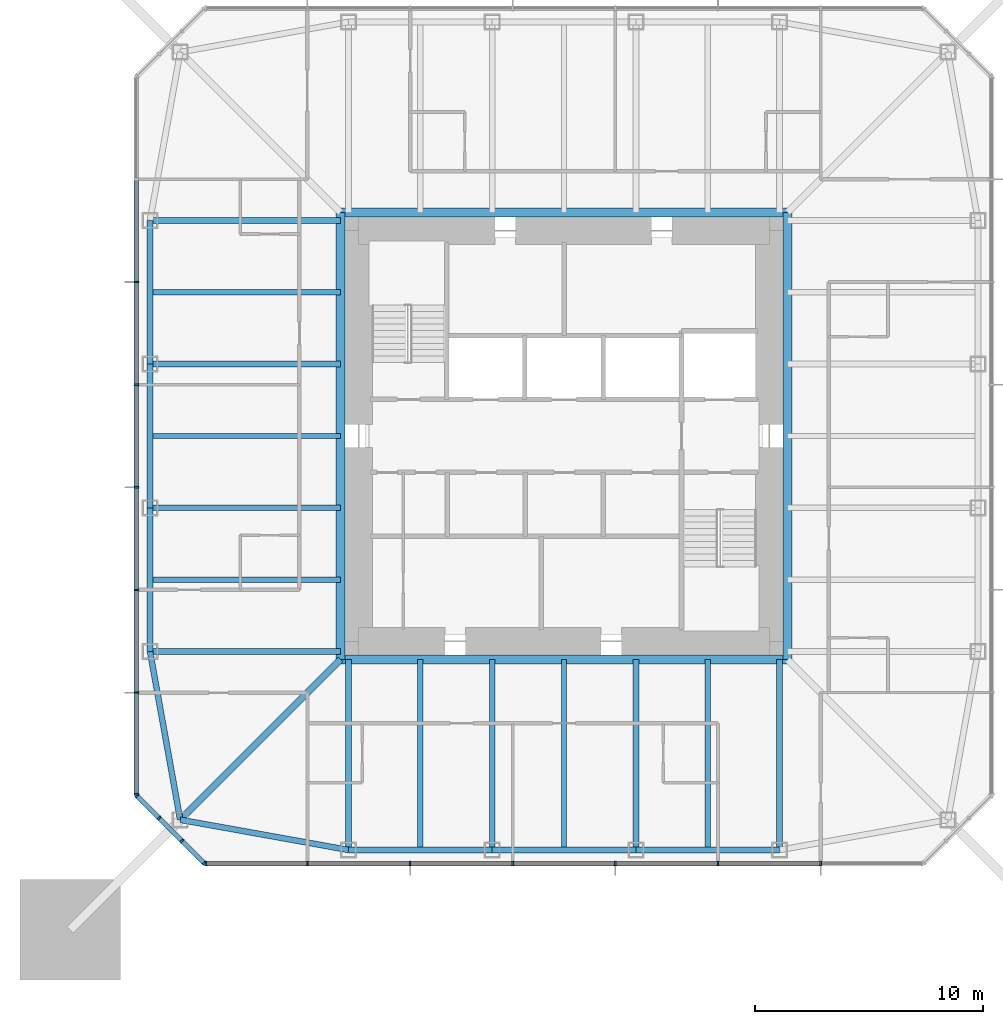
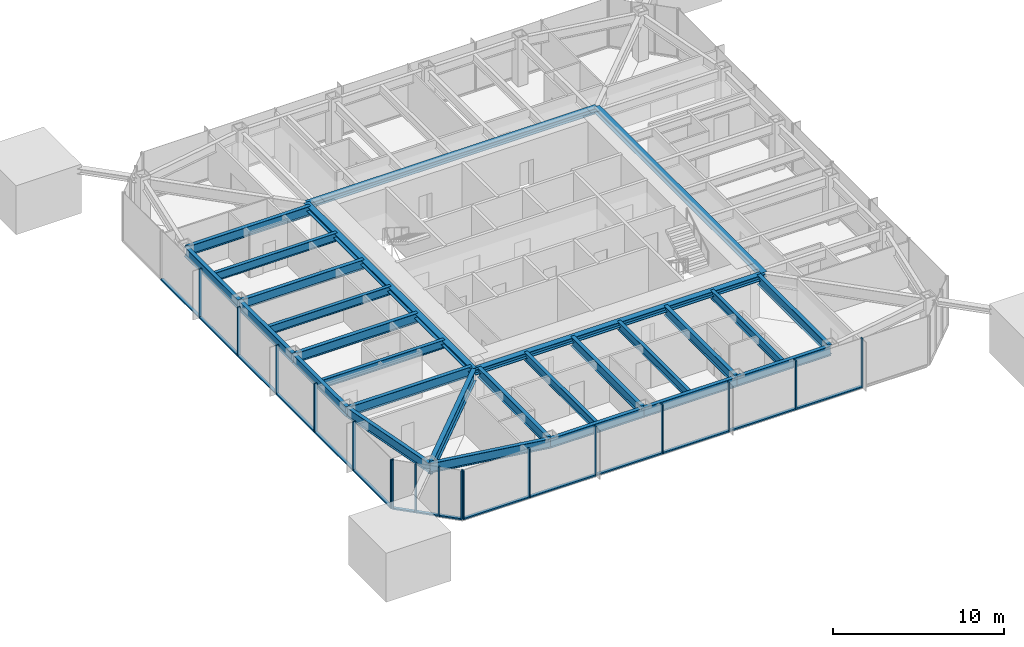
# One storey, part 2 of 11: 32 members, 27 beams, 3 elements without a shape of their own.
"""IFC4 building model written with IfcOpenShell, lengths in metres."""

from ifc_helpers import new_model, si_unit, direction, frame, origin, origin_2d, place, context, subcontext, project, spatial, rectangle, i_section, extrude, material, material_profile, profile_set, type_object, element, aggregate, save


model = new_model("IFC4")

# Units and contexts
model_context = context("Model", 3, precision=1e-05, world=origin(), true_north=direction((0.0, 1.0)))
body_context = subcontext(model_context, "Body", "Model", "MODEL_VIEW")
ifc_project = project(units=[si_unit("LENGTHUNIT", "METRE"), si_unit("AREAUNIT", "SQUARE_METRE"), si_unit("VOLUMEUNIT", "CUBIC_METRE"), si_unit("PLANEANGLEUNIT", "RADIAN"), si_unit("MASSUNIT", "GRAM", prefix="KILO")], contexts=[model_context])

# Site, building, storey
site_placement = place(None, origin())
site = spatial("IfcSite", under=ifc_project, at=site_placement, CompositionType="ELEMENT")
building_placement = place(site_placement, origin())
building = spatial("IfcBuilding", under=site, at=building_placement, Name="Iwan Alto Co-Living Towers", CompositionType="ELEMENT")
storey_placement = place(building_placement, frame((0.0, 0.0, 195.0)))
storey = spatial("IfcBuildingStorey", under=building, at=storey_placement, Name="L53", CompositionType="ELEMENT", Elevation=195.0)

# Curtain wall, members
ifc_material_1 = material(Name="Bronze aluminium unitised frame", Category="aluminium")
curtain_wall_type_1 = type_object("IfcCurtainWallType", Name="CURTAIN WALL CW-A", PredefinedType="NOTDEFINED", material=ifc_material_1)
curtain_wall_1_placement = place(storey_placement, origin())
curtain_wall_1 = element("IfcCurtainWall", 1, at=curtain_wall_1_placement, inside=storey, type_object=curtain_wall_type_1, Name="T1 curtain wall S L53", PredefinedType="NOTDEFINED")
ifc_material_2 = material(Name="Aluminium 6063-T6 bronze anodised", Category="aluminium")
ifc_material_profile_1 = material_profile(ifc_material_2, rectangle(XDim=0.199951171875, YDim=0.080078125, at=origin_2d()), Name="AL 80X200")
ifc_profile_set_1 = profile_set([ifc_material_profile_1], Name="Aluminium 6063-T6 bronze anodised")
member_type_1 = type_object("IfcMemberType", Name="CW-A MULLION 80X200", PredefinedType="MULLION", material=ifc_profile_set_1)
member_1_placement = place(storey_placement, frame((-15.7099609375, -18.75, 0.0), z_axis=(0.0, 0.0, 1.0), x_axis=(0.0, 1.0, 0.0)))
member_1 = element("IfcMember", 2, at=member_1_placement, type_object=member_type_1, Name="CW-A mullion 1", PredefinedType="MULLION", context=body_context, shape_type="SweptSolid", body=[
    extrude(rectangle(XDim=0.199951171875, YDim=0.080078125, at=origin_2d()), origin(), (0.0, 0.0, 1.0), 3.5),
])
member_2_placement = place(storey_placement, frame((-11.25, -18.75, 0.0), z_axis=(0.0, 0.0, 1.0), x_axis=(0.0, 1.0, 0.0)))
member_2 = element("IfcMember", 3, at=member_2_placement, type_object=member_type_1, Name="CW-A mullion 2", PredefinedType="MULLION", context=body_context, shape_type="SweptSolid", body=[
    extrude(rectangle(XDim=0.199951171875, YDim=0.080078125, at=origin_2d()), origin(), (0.0, 0.0, 1.0), 3.5),
])
member_3_placement = place(storey_placement, frame((-6.75, -18.75, 0.0), z_axis=(0.0, 0.0, 1.0), x_axis=(0.0, 1.0, 0.0)))
member_3 = element("IfcMember", 4, at=member_3_placement, type_object=member_type_1, Name="CW-A mullion 3", PredefinedType="MULLION", context=body_context, shape_type="SweptSolid", body=[
    extrude(rectangle(XDim=0.199951171875, YDim=0.080078125, at=origin_2d()), origin(), (0.0, 0.0, 1.0), 3.5),
])
member_4_placement = place(storey_placement, frame((-2.25, -18.75, 0.0), z_axis=(0.0, 0.0, 1.0), x_axis=(0.0, 1.0, 0.0)))
member_4 = element("IfcMember", 5, at=member_4_placement, type_object=member_type_1, Name="CW-A mullion 4", PredefinedType="MULLION", context=body_context, shape_type="SweptSolid", body=[
    extrude(rectangle(XDim=0.199951171875, YDim=0.080078125, at=origin_2d()), origin(), (0.0, 0.0, 1.0), 3.5),
])
member_5_placement = place(storey_placement, frame((2.25, -18.75, 0.0), z_axis=(0.0, 0.0, 1.0), x_axis=(0.0, 1.0, 0.0)))
member_5 = element("IfcMember", 6, at=member_5_placement, type_object=member_type_1, Name="CW-A mullion 5", PredefinedType="MULLION", context=body_context, shape_type="SweptSolid", body=[
    extrude(rectangle(XDim=0.199951171875, YDim=0.080078125, at=origin_2d()), origin(), (0.0, 0.0, 1.0), 3.5),
])
member_6_placement = place(storey_placement, frame((6.75, -18.75, 0.0), z_axis=(0.0, 0.0, 1.0), x_axis=(0.0, 1.0, 0.0)))
member_6 = element("IfcMember", 7, at=member_6_placement, type_object=member_type_1, Name="CW-A mullion 6", PredefinedType="MULLION", context=body_context, shape_type="SweptSolid", body=[
    extrude(rectangle(XDim=0.199951171875, YDim=0.080078125, at=origin_2d()), origin(), (0.0, 0.0, 1.0), 3.5),
])
member_7_placement = place(storey_placement, frame((11.25, -18.75, 0.0), z_axis=(0.0, 0.0, 1.0), x_axis=(0.0, 1.0, 0.0)))
member_7 = element("IfcMember", 8, at=member_7_placement, type_object=member_type_1, Name="CW-A mullion 7", PredefinedType="MULLION", context=body_context, shape_type="SweptSolid", body=[
    extrude(rectangle(XDim=0.199951171875, YDim=0.080078125, at=origin_2d()), origin(), (0.0, 0.0, 1.0), 3.5),
])

curtain_wall_2_placement = place(storey_placement, origin())
curtain_wall_2 = element("IfcCurtainWall", 9, at=curtain_wall_2_placement, inside=storey, type_object=curtain_wall_type_1, Name="T1 curtain wall W L53", PredefinedType="NOTDEFINED")
member_8_placement = place(storey_placement, frame((-18.75, 6.75, 0.0), z_axis=(0.0, 0.0, 1.0), x_axis=(1.0, 0.0, 0.0)))
member_8 = element("IfcMember", 10, at=member_8_placement, type_object=member_type_1, Name="CW-A mullion 3", PredefinedType="MULLION", context=body_context, shape_type="SweptSolid", body=[
    extrude(rectangle(XDim=0.199951171875, YDim=0.080078125, at=origin_2d()), origin(), (0.0, 0.0, 1.0), 3.5),
])
member_9_placement = place(storey_placement, frame((-18.75, 2.25, 0.0), z_axis=(0.0, 0.0, 1.0), x_axis=(1.0, 0.0, 0.0)))
member_9 = element("IfcMember", 11, at=member_9_placement, type_object=member_type_1, Name="CW-A mullion 4", PredefinedType="MULLION", context=body_context, shape_type="SweptSolid", body=[
    extrude(rectangle(XDim=0.199951171875, YDim=0.080078125, at=origin_2d()), origin(), (0.0, 0.0, 1.0), 3.5),
])
member_10_placement = place(storey_placement, frame((-18.75, -2.25, 0.0), z_axis=(0.0, 0.0, 1.0), x_axis=(1.0, 0.0, 0.0)))
member_10 = element("IfcMember", 12, at=member_10_placement, type_object=member_type_1, Name="CW-A mullion 5", PredefinedType="MULLION", context=body_context, shape_type="SweptSolid", body=[
    extrude(rectangle(XDim=0.199951171875, YDim=0.080078125, at=origin_2d()), origin(), (0.0, 0.0, 1.0), 3.5),
])
member_11_placement = place(storey_placement, frame((-18.75, -6.75, 0.0), z_axis=(0.0, 0.0, 1.0), x_axis=(1.0, 0.0, 0.0)))
member_11 = element("IfcMember", 13, at=member_11_placement, type_object=member_type_1, Name="CW-A mullion 6", PredefinedType="MULLION", context=body_context, shape_type="SweptSolid", body=[
    extrude(rectangle(XDim=0.199951171875, YDim=0.080078125, at=origin_2d()), origin(), (0.0, 0.0, 1.0), 3.5),
])
member_12_placement = place(storey_placement, frame((-18.75, -11.25, 0.0), z_axis=(0.0, 0.0, 1.0), x_axis=(1.0, 0.0, 0.0)))
member_12 = element("IfcMember", 14, at=member_12_placement, type_object=member_type_1, Name="CW-A mullion 7", PredefinedType="MULLION", context=body_context, shape_type="SweptSolid", body=[
    extrude(rectangle(XDim=0.199951171875, YDim=0.080078125, at=origin_2d()), origin(), (0.0, 0.0, 1.0), 3.5),
])
member_13_placement = place(storey_placement, frame((-18.75, -15.7099609375, 0.0), z_axis=(0.0, 0.0, 1.0), x_axis=(1.0, 0.0, 0.0)))
member_13 = element("IfcMember", 15, at=member_13_placement, type_object=member_type_1, Name="CW-A mullion 8", PredefinedType="MULLION", context=body_context, shape_type="SweptSolid", body=[
    extrude(rectangle(XDim=0.199951171875, YDim=0.080078125, at=origin_2d()), origin(), (0.0, 0.0, 1.0), 3.5),
])

# Member
ifc_material_3 = material(Name="Aluminium 6063-T6 bronze anodised", Category="aluminium")
ifc_material_profile_2 = material_profile(ifc_material_3, rectangle(XDim=0.199951171875, YDim=0.10009765625, at=origin_2d()), Name="AL 200X100")
ifc_profile_set_2 = profile_set([ifc_material_profile_2], Name="Aluminium 6063-T6 bronze anodised")
member_type_2 = type_object("IfcMemberType", Name="CW-A TRANSOM 200X100", PredefinedType="USERDEFINED", material=ifc_profile_set_2)
member_14_placement = place(storey_placement, frame((-15.669921875, -18.75, 0.050048828125), z_axis=(1.0, 0.0, 0.0), x_axis=(0.0, 1.0, 0.0)))
member_14 = element("IfcMember", 16, at=member_14_placement, type_object=member_type_2, Name="CW-A transom 1.1", ObjectType="TRANSOM", PredefinedType="USERDEFINED", context=body_context, shape_type="SweptSolid", body=[
    extrude(rectangle(XDim=0.199951171875, YDim=0.10009765625, at=origin_2d()), origin(), (0.0, 0.0, 1.0), 4.3798828125),
])

member_15_placement = place(storey_placement, frame((-11.2099609375, -18.75, 0.050048828125), z_axis=(1.0, 0.0, 0.0), x_axis=(0.0, 1.0, 0.0)))
member_15 = element("IfcMember", 17, at=member_15_placement, type_object=member_type_2, Name="CW-A transom 2.1", ObjectType="TRANSOM", PredefinedType="USERDEFINED", context=body_context, shape_type="SweptSolid", body=[
    extrude(rectangle(XDim=0.199951171875, YDim=0.10009765625, at=origin_2d()), origin(), (0.0, 0.0, 1.0), 4.419921875),
])

member_16_placement = place(storey_placement, frame((-6.7099609375, -18.75, 0.050048828125), z_axis=(1.0, 0.0, 0.0), x_axis=(0.0, 1.0, 0.0)))
member_16 = element("IfcMember", 18, at=member_16_placement, type_object=member_type_2, Name="CW-A transom 3.1", ObjectType="TRANSOM", PredefinedType="USERDEFINED", context=body_context, shape_type="SweptSolid", body=[
    extrude(rectangle(XDim=0.199951171875, YDim=0.10009765625, at=origin_2d()), origin(), (0.0, 0.0, 1.0), 4.419921875),
])

member_17_placement = place(storey_placement, frame((-2.2099609375, -18.75, 0.050048828125), z_axis=(1.0, 0.0, 0.0), x_axis=(0.0, 1.0, 0.0)))
member_17 = element("IfcMember", 19, at=member_17_placement, type_object=member_type_2, Name="CW-A transom 4.1", ObjectType="TRANSOM", PredefinedType="USERDEFINED", context=body_context, shape_type="SweptSolid", body=[
    extrude(rectangle(XDim=0.199951171875, YDim=0.10009765625, at=origin_2d()), origin(), (0.0, 0.0, 1.0), 4.419921875),
])

member_18_placement = place(storey_placement, frame((2.2900390625, -18.75, 0.050048828125), z_axis=(1.0, 0.0, 0.0), x_axis=(0.0, 1.0, 0.0)))
member_18 = element("IfcMember", 20, at=member_18_placement, type_object=member_type_2, Name="CW-A transom 5.1", ObjectType="TRANSOM", PredefinedType="USERDEFINED", context=body_context, shape_type="SweptSolid", body=[
    extrude(rectangle(XDim=0.199951171875, YDim=0.10009765625, at=origin_2d()), origin(), (0.0, 0.0, 1.0), 4.419921875),
])

member_19_placement = place(storey_placement, frame((6.7900390625, -18.75, 0.050048828125), z_axis=(1.0, 0.0, 0.0), x_axis=(0.0, 1.0, 0.0)))
member_19 = element("IfcMember", 21, at=member_19_placement, type_object=member_type_2, Name="CW-A transom 6.1", ObjectType="TRANSOM", PredefinedType="USERDEFINED", context=body_context, shape_type="SweptSolid", body=[
    extrude(rectangle(XDim=0.199951171875, YDim=0.10009765625, at=origin_2d()), origin(), (0.0, 0.0, 1.0), 4.419921875),
])

aggregate(curtain_wall_1, [member_1, member_2, member_3, member_4, member_5, member_6, member_7, member_14, member_15, member_16, member_17, member_18, member_19])

member_20_placement = place(storey_placement, frame((-18.75, 11.2099609375, 0.050048828125), z_axis=(0.0, -1.0, 0.0), x_axis=(1.0, 0.0, 0.0)))
member_20 = element("IfcMember", 22, at=member_20_placement, type_object=member_type_2, Name="CW-A transom 2.1", ObjectType="TRANSOM", PredefinedType="USERDEFINED", context=body_context, shape_type="SweptSolid", body=[
    extrude(rectangle(XDim=0.199951171875, YDim=0.10009765625, at=origin_2d()), origin(), (0.0, 0.0, 1.0), 4.419921875),
])

member_21_placement = place(storey_placement, frame((-18.75, 6.7099609375, 0.050048828125), z_axis=(0.0, -1.0, 0.0), x_axis=(1.0, 0.0, 0.0)))
member_21 = element("IfcMember", 23, at=member_21_placement, type_object=member_type_2, Name="CW-A transom 3.1", ObjectType="TRANSOM", PredefinedType="USERDEFINED", context=body_context, shape_type="SweptSolid", body=[
    extrude(rectangle(XDim=0.199951171875, YDim=0.10009765625, at=origin_2d()), origin(), (0.0, 0.0, 1.0), 4.419921875),
])

member_22_placement = place(storey_placement, frame((-18.75, 2.2099609375, 0.050048828125), z_axis=(0.0, -1.0, 0.0), x_axis=(1.0, 0.0, 0.0)))
member_22 = element("IfcMember", 24, at=member_22_placement, type_object=member_type_2, Name="CW-A transom 4.1", ObjectType="TRANSOM", PredefinedType="USERDEFINED", context=body_context, shape_type="SweptSolid", body=[
    extrude(rectangle(XDim=0.199951171875, YDim=0.10009765625, at=origin_2d()), origin(), (0.0, 0.0, 1.0), 4.419921875),
])

member_23_placement = place(storey_placement, frame((-18.75, -2.2900390625, 0.050048828125), z_axis=(0.0, -1.0, 0.0), x_axis=(1.0, 0.0, 0.0)))
member_23 = element("IfcMember", 25, at=member_23_placement, type_object=member_type_2, Name="CW-A transom 5.1", ObjectType="TRANSOM", PredefinedType="USERDEFINED", context=body_context, shape_type="SweptSolid", body=[
    extrude(rectangle(XDim=0.199951171875, YDim=0.10009765625, at=origin_2d()), origin(), (0.0, 0.0, 1.0), 4.419921875),
])

member_24_placement = place(storey_placement, frame((-18.75, -6.7900390625, 0.050048828125), z_axis=(0.0, -1.0, 0.0), x_axis=(1.0, 0.0, 0.0)))
member_24 = element("IfcMember", 26, at=member_24_placement, type_object=member_type_2, Name="CW-A transom 6.1", ObjectType="TRANSOM", PredefinedType="USERDEFINED", context=body_context, shape_type="SweptSolid", body=[
    extrude(rectangle(XDim=0.199951171875, YDim=0.10009765625, at=origin_2d()), origin(), (0.0, 0.0, 1.0), 4.419921875),
])

member_25_placement = place(storey_placement, frame((-18.75, -11.2900390625, 0.050048828125), z_axis=(0.0, -1.0, 0.0), x_axis=(1.0, 0.0, 0.0)))
member_25 = element("IfcMember", 27, at=member_25_placement, type_object=member_type_2, Name="CW-A transom 7.1", ObjectType="TRANSOM", PredefinedType="USERDEFINED", context=body_context, shape_type="SweptSolid", body=[
    extrude(rectangle(XDim=0.199951171875, YDim=0.10009765625, at=origin_2d()), origin(), (0.0, 0.0, 1.0), 4.3798828125),
])

aggregate(curtain_wall_2, [member_8, member_9, member_10, member_11, member_12, member_13, member_20, member_21, member_22, member_23, member_24, member_25])

# Curtain wall, members
ifc_material_4 = material(Name="Bronze aluminium unitised frame", Category="aluminium")
curtain_wall_type_2 = type_object("IfcCurtainWallType", Name="CURTAIN WALL CW-B", PredefinedType="NOTDEFINED", material=ifc_material_4)
curtain_wall_3_placement = place(storey_placement, origin())
curtain_wall_3 = element("IfcCurtainWall", 28, at=curtain_wall_3_placement, inside=storey, type_object=curtain_wall_type_2, Name="T1 chamfer curtain wall SW L53", PredefinedType="NOTDEFINED")
ifc_material_5 = material(Name="Aluminium 6063-T6 bronze anodised", Category="aluminium")
ifc_material_profile_3 = material_profile(ifc_material_5, rectangle(XDim=0.199951171875, YDim=0.080078125, at=origin_2d()), Name="AL 80X200")
ifc_profile_set_3 = profile_set([ifc_material_profile_3], Name="Aluminium 6063-T6 bronze anodised")
member_type_3 = type_object("IfcMemberType", Name="CW-B MULLION 80X200", PredefinedType="MULLION", material=ifc_profile_set_3)
member_26_placement = place(storey_placement, frame((-18.7216796875, -15.7783203125, 0.0), z_axis=(0.0, 0.0, 1.0), x_axis=(0.707106781187, 0.707106781187, 0.0)))
member_26 = element("IfcMember", 29, at=member_26_placement, type_object=member_type_3, Name="CW-B mullion 1", PredefinedType="MULLION", context=body_context, shape_type="SweptSolid", body=[
    extrude(rectangle(XDim=0.199951171875, YDim=0.080078125, at=origin_2d()), origin(), (0.0, 0.0, 1.0), 3.5),
])
member_27_placement = place(storey_placement, frame((-17.75, -16.75, 0.0), z_axis=(0.0, 0.0, 1.0), x_axis=(0.707106781187, 0.707106781187, 0.0)))
member_27 = element("IfcMember", 30, at=member_27_placement, type_object=member_type_3, Name="CW-B mullion 2", PredefinedType="MULLION", context=body_context, shape_type="SweptSolid", body=[
    extrude(rectangle(XDim=0.199951171875, YDim=0.080078125, at=origin_2d()), origin(), (0.0, 0.0, 1.0), 3.5),
])
member_28_placement = place(storey_placement, frame((-16.75, -17.75, 0.0), z_axis=(0.0, 0.0, 1.0), x_axis=(0.707106781187, 0.707106781187, 0.0)))
member_28 = element("IfcMember", 31, at=member_28_placement, type_object=member_type_3, Name="CW-B mullion 3", PredefinedType="MULLION", context=body_context, shape_type="SweptSolid", body=[
    extrude(rectangle(XDim=0.199951171875, YDim=0.080078125, at=origin_2d()), origin(), (0.0, 0.0, 1.0), 3.5),
])
member_29_placement = place(storey_placement, frame((-15.7783203125, -18.7216796875, 0.0), z_axis=(0.0, 0.0, 1.0), x_axis=(0.707106781187, 0.707106781187, 0.0)))
member_29 = element("IfcMember", 32, at=member_29_placement, type_object=member_type_3, Name="CW-B mullion 4", PredefinedType="MULLION", context=body_context, shape_type="SweptSolid", body=[
    extrude(rectangle(XDim=0.199951171875, YDim=0.080078125, at=origin_2d()), origin(), (0.0, 0.0, 1.0), 3.5),
])
ifc_material_6 = material(Name="Aluminium 6063-T6 bronze anodised", Category="aluminium")
ifc_material_profile_4 = material_profile(ifc_material_6, rectangle(XDim=0.199951171875, YDim=0.10009765625, at=origin_2d()), Name="AL 200X100")
ifc_profile_set_4 = profile_set([ifc_material_profile_4], Name="Aluminium 6063-T6 bronze anodised")
member_type_4 = type_object("IfcMemberType", Name="CW-B TRANSOM 200X100", PredefinedType="USERDEFINED", material=ifc_profile_set_4)
member_30_placement = place(storey_placement, frame((-18.693359375, -15.806640625, 0.050048828125), z_axis=(0.707106781187, -0.707106781187, 0.0), x_axis=(0.707106781187, 0.707106781187, 0.0)))
member_30 = element("IfcMember", 33, at=member_30_placement, type_object=member_type_4, Name="CW-B transom 1.1", ObjectType="TRANSOM", PredefinedType="USERDEFINED", context=body_context, shape_type="SweptSolid", body=[
    extrude(rectangle(XDim=0.199951171875, YDim=0.10009765625, at=origin_2d()), origin(), (0.0, 0.0, 1.0), 1.2939453125),
])
member_31_placement = place(storey_placement, frame((-17.7216796875, -16.7783203125, 0.050048828125), z_axis=(0.707106781187, -0.707106781187, 0.0), x_axis=(0.707106781187, 0.707106781187, 0.0)))
member_31 = element("IfcMember", 34, at=member_31_placement, type_object=member_type_4, Name="CW-B transom 2.1", ObjectType="TRANSOM", PredefinedType="USERDEFINED", context=body_context, shape_type="SweptSolid", body=[
    extrude(rectangle(XDim=0.199951171875, YDim=0.10009765625, at=origin_2d()), origin(), (0.0, 0.0, 1.0), 1.334228515625),
])
member_32_placement = place(storey_placement, frame((-16.7216796875, -17.7783203125, 0.050048828125), z_axis=(0.707106781187, -0.707106781187, 0.0), x_axis=(0.707106781187, 0.707106781187, 0.0)))
member_32 = element("IfcMember", 35, at=member_32_placement, type_object=member_type_4, Name="CW-B transom 3.1", ObjectType="TRANSOM", PredefinedType="USERDEFINED", context=body_context, shape_type="SweptSolid", body=[
    extrude(rectangle(XDim=0.199951171875, YDim=0.10009765625, at=origin_2d()), origin(), (0.0, 0.0, 1.0), 1.2939453125),
])
aggregate(curtain_wall_3, [member_26, member_27, member_28, member_29, member_30, member_31, member_32])

# Beams
ifc_material_7 = material(Name="Steel ASTM A992 Gr 50", Category="steel")
ifc_material_profile_5 = material_profile(ifc_material_7, i_section(OverallWidth=0.398681640625, OverallDepth=0.385986328125, WebThickness=0.02099609375, FlangeThickness=0.033203125, at=origin_2d()), Name="W14X176")
ifc_profile_set_5 = profile_set([ifc_material_profile_5], Name="Steel ASTM A992 Gr 50")
beam_type_1 = type_object("IfcBeamType", Name="T1 CORE LEDGER BEAM W14X176", PredefinedType="BEAM", material=ifc_profile_set_5)
for number, where, z_axis, x_axis, name in (
    (36, (-9.79931640625, -9.79931640625, 3.076904296875), (1.0, 0.0, 0.0), (0.0, 1.0, 0.0), "T1 core ledger beam S L54"),
    (37, (9.79931640625, -9.79931640625, 3.076904296875), (0.0, 1.0, 0.0), (-1.0, 0.0, 0.0), "T1 core ledger beam E L54"),
    (38, (9.79931640625, 9.79931640625, 3.076904296875), (-1.0, 0.0, 0.0), (0.0, -1.0, 0.0), "T1 core ledger beam N L54"),
    (39, (-9.79931640625, 9.79931640625, 3.076904296875), (0.0, -1.0, 0.0), (1.0, 0.0, 0.0), "T1 core ledger beam W L54"),
):
    element("IfcBeam", number, at=place(storey_placement, frame(where, z_axis=z_axis, x_axis=x_axis)), inside=storey, type_object=beam_type_1, Name=name, PredefinedType="BEAM", context=body_context, shape_type="SweptSolid", body=[
        extrude(i_section(OverallWidth=0.398681640625, OverallDepth=0.385986328125, WebThickness=0.02099609375, FlangeThickness=0.033203125, at=origin_2d()), origin(), (0.0, 0.0, 1.0), 19.5986328125),
    ])
ifc_material_8 = material(Name="Steel ASTM A992 Gr 50", Category="steel")
ifc_material_profile_6 = material_profile(ifc_material_8, i_section(OverallWidth=0.2919921875, OverallDepth=0.8408203125, WebThickness=0.0146484375, FlangeThickness=0.021728515625, at=origin_2d()), Name="W33X130")
ifc_profile_set_6 = profile_set([ifc_material_profile_6], Name="Steel ASTM A992 Gr 50")
beam_type_2 = type_object("IfcBeamType", Name="T1 CORNER GIRDER W33X130", PredefinedType="BEAM", material=ifc_profile_set_6)
beam_1_placement = place(storey_placement, frame((-16.82568359375, -16.82568359375, 2.849609375), z_axis=(0.707106781187, 0.707106781187, 0.0), x_axis=(-0.707106781187, 0.707106781187, 0.0)))
element("IfcBeam", 40, at=beam_1_placement, inside=storey, type_object=beam_type_2, Name="T1 corner girder CSW L54", PredefinedType="BEAM", context=body_context, shape_type="SweptSolid", body=[
    extrude(i_section(OverallWidth=0.2919921875, OverallDepth=0.8408203125, WebThickness=0.0146484375, FlangeThickness=0.021728515625, at=origin_2d()), origin(), (0.0, 0.0, 1.0), 9.936767578125),
])
ifc_material_9 = material(Name="Steel ASTM A992 Gr 50", Category="steel")
ifc_material_profile_7 = material_profile(ifc_material_9, i_section(OverallWidth=0.25390625, OverallDepth=0.683349609375, WebThickness=0.012451171875, FlangeThickness=0.018798828125, at=origin_2d()), Name="W27X94")
ifc_profile_set_7 = profile_set([ifc_material_profile_7], Name="Steel ASTM A992 Gr 50")
beam_type_3 = type_object("IfcBeamType", Name="T1 EDGE BEAM W27X94", PredefinedType="BEAM", material=ifc_profile_set_7)
beam_2_placement = place(storey_placement, frame((-16.82568359375, -16.82568359375, 2.928466796875), z_axis=(0.98426263553, -0.17671181143, 0.0), x_axis=(0.17671181143, 0.98426263553, 0.0)))
element("IfcBeam", 41, at=beam_2_placement, inside=storey, type_object=beam_type_3, Name="T1 edge beam CSW L54", PredefinedType="BEAM", context=body_context, shape_type="SweptSolid", body=[
    extrude(i_section(OverallWidth=0.25390625, OverallDepth=0.683349609375, WebThickness=0.012451171875, FlangeThickness=0.018798828125, at=origin_2d()), origin(), (0.0, 0.0, 1.0), 7.49365234375),
])
beam_3_placement = place(storey_placement, frame((-9.449951171875, -18.14990234375, 2.928466796875), z_axis=(1.0, 0.0, 0.0), x_axis=(0.0, 1.0, 0.0)))
element("IfcBeam", 42, at=beam_3_placement, inside=storey, type_object=beam_type_3, Name="T1 edge beam S1 L54", PredefinedType="BEAM", context=body_context, shape_type="SweptSolid", body=[
    extrude(i_section(OverallWidth=0.25390625, OverallDepth=0.683349609375, WebThickness=0.012451171875, FlangeThickness=0.018798828125, at=origin_2d()), origin(), (0.0, 0.0, 1.0), 6.300048828125),
])
beam_4_placement = place(storey_placement, frame((-3.14990234375, -18.14990234375, 2.928466796875), z_axis=(1.0, 0.0, 0.0), x_axis=(0.0, 1.0, 0.0)))
element("IfcBeam", 43, at=beam_4_placement, inside=storey, type_object=beam_type_3, Name="T1 edge beam S2 L54", PredefinedType="BEAM", context=body_context, shape_type="SweptSolid", body=[
    extrude(i_section(OverallWidth=0.25390625, OverallDepth=0.683349609375, WebThickness=0.012451171875, FlangeThickness=0.018798828125, at=origin_2d()), origin(), (0.0, 0.0, 1.0), 6.2998046875),
])
for number, where, z_axis, x_axis, name in (
    (44, (3.14990234375, -18.14990234375, 2.928466796875), (1.0, 0.0, 0.0), (0.0, 1.0, 0.0), "T1 edge beam S3 L54"),
    (45, (-18.14990234375, 9.449951171875, 2.928466796875), (0.0, -1.0, 0.0), (1.0, 0.0, 0.0), "T1 edge beam W1 L54"),
):
    element("IfcBeam", number, at=place(storey_placement, frame(where, z_axis=z_axis, x_axis=x_axis)), inside=storey, type_object=beam_type_3, Name=name, PredefinedType="BEAM", context=body_context, shape_type="SweptSolid", body=[
        extrude(i_section(OverallWidth=0.25390625, OverallDepth=0.683349609375, WebThickness=0.012451171875, FlangeThickness=0.018798828125, at=origin_2d()), origin(), (0.0, 0.0, 1.0), 6.300048828125),
    ])
beam_5_placement = place(storey_placement, frame((-18.14990234375, 3.14990234375, 2.928466796875), z_axis=(0.0, -1.0, 0.0), x_axis=(1.0, 0.0, 0.0)))
element("IfcBeam", 46, at=beam_5_placement, inside=storey, type_object=beam_type_3, Name="T1 edge beam W2 L54", PredefinedType="BEAM", context=body_context, shape_type="SweptSolid", body=[
    extrude(i_section(OverallWidth=0.25390625, OverallDepth=0.683349609375, WebThickness=0.012451171875, FlangeThickness=0.018798828125, at=origin_2d()), origin(), (0.0, 0.0, 1.0), 6.2998046875),
])
beam_6_placement = place(storey_placement, frame((-18.14990234375, -3.14990234375, 2.928466796875), z_axis=(0.0, -1.0, 0.0), x_axis=(1.0, 0.0, 0.0)))
element("IfcBeam", 47, at=beam_6_placement, inside=storey, type_object=beam_type_3, Name="T1 edge beam W3 L54", PredefinedType="BEAM", context=body_context, shape_type="SweptSolid", body=[
    extrude(i_section(OverallWidth=0.25390625, OverallDepth=0.683349609375, WebThickness=0.012451171875, FlangeThickness=0.018798828125, at=origin_2d()), origin(), (0.0, 0.0, 1.0), 6.300048828125),
])
beam_7_placement = place(storey_placement, frame((-18.14990234375, -9.449951171875, 2.928466796875), z_axis=(0.17671181143, -0.98426263553, 0.0), x_axis=(0.98426263553, 0.17671181143, 0.0)))
element("IfcBeam", 48, at=beam_7_placement, inside=storey, type_object=beam_type_3, Name="T1 edge beam W4 L54", PredefinedType="BEAM", context=body_context, shape_type="SweptSolid", body=[
    extrude(i_section(OverallWidth=0.25390625, OverallDepth=0.683349609375, WebThickness=0.012451171875, FlangeThickness=0.018798828125, at=origin_2d()), origin(), (0.0, 0.0, 1.0), 7.49365234375),
])
ifc_material_10 = material(Name="Steel ASTM A992 Gr 50", Category="steel")
ifc_material_profile_8 = material_profile(ifc_material_10, i_section(OverallWidth=0.25390625, OverallDepth=0.683349609375, WebThickness=0.012451171875, FlangeThickness=0.018798828125, at=origin_2d()), Name="W27X94")
ifc_profile_set_8 = profile_set([ifc_material_profile_8], Name="Steel ASTM A992 Gr 50")
beam_type_4 = type_object("IfcBeamType", Name="T1 RADIAL BEAM W27X94", PredefinedType="BEAM", material=ifc_profile_set_8)
for number, where, z_axis, x_axis, name in (
    (49, (-9.449951171875, -18.14990234375, 2.928466796875), (0.0, 1.0, 0.0), (-1.0, 0.0, 0.0), "T1 radial beam S1 L54"),
    (50, (-3.14990234375, -18.14990234375, 2.928466796875), (0.0, 1.0, 0.0), (-1.0, 0.0, 0.0), "T1 radial beam S2 L54"),
    (51, (3.14990234375, -18.14990234375, 2.928466796875), (0.0, 1.0, 0.0), (-1.0, 0.0, 0.0), "T1 radial beam S3 L54"),
    (52, (9.449951171875, -18.14990234375, 2.928466796875), (0.0, 1.0, 0.0), (-1.0, 0.0, 0.0), "T1 radial beam S4 L54"),
    (53, (-18.14990234375, 9.449951171875, 2.928466796875), (1.0, 0.0, 0.0), (0.0, 1.0, 0.0), "T1 radial beam W1 L54"),
    (54, (-18.14990234375, 3.14990234375, 2.928466796875), (1.0, 0.0, 0.0), (0.0, 1.0, 0.0), "T1 radial beam W2 L54"),
    (55, (-18.14990234375, -3.14990234375, 2.928466796875), (1.0, 0.0, 0.0), (0.0, 1.0, 0.0), "T1 radial beam W3 L54"),
    (56, (-18.14990234375, -9.449951171875, 2.928466796875), (1.0, 0.0, 0.0), (0.0, 1.0, 0.0), "T1 radial beam W4 L54"),
):
    element("IfcBeam", number, at=place(storey_placement, frame(where, z_axis=z_axis, x_axis=x_axis)), inside=storey, type_object=beam_type_4, Name=name, PredefinedType="BEAM", context=body_context, shape_type="SweptSolid", body=[
        extrude(i_section(OverallWidth=0.25390625, OverallDepth=0.683349609375, WebThickness=0.012451171875, FlangeThickness=0.018798828125, at=origin_2d()), origin(), (0.0, 0.0, 1.0), 8.3505859375),
    ])
ifc_material_11 = material(Name="Steel ASTM A992 Gr 50", Category="steel")
ifc_material_profile_9 = material_profile(ifc_material_11, i_section(OverallWidth=0.228271484375, OverallDepth=0.607177734375, WebThickness=0.01123046875, FlangeThickness=0.017333984375, at=origin_2d()), Name="W24X76")
ifc_profile_set_9 = profile_set([ifc_material_profile_9], Name="Steel ASTM A992 Gr 50")
beam_type_5 = type_object("IfcBeamType", Name="T1 SECONDARY BEAM W24X76", PredefinedType="JOIST", material=ifc_profile_set_9)
for number, where, z_axis, x_axis, name in (
    (57, (-6.300048828125, -18.14990234375, 2.966552734375), (0.0, 1.0, 0.0), (-1.0, 0.0, 0.0), "T1 secondary beam S1 L54"),
    (58, (0.0, -18.14990234375, 2.966552734375), (0.0, 1.0, 0.0), (-1.0, 0.0, 0.0), "T1 secondary beam S2 L54"),
    (59, (6.300048828125, -18.14990234375, 2.966552734375), (0.0, 1.0, 0.0), (-1.0, 0.0, 0.0), "T1 secondary beam S3 L54"),
    (60, (-18.14990234375, 6.300048828125, 2.966552734375), (1.0, 0.0, 0.0), (0.0, 1.0, 0.0), "T1 secondary beam W1 L54"),
    (61, (-18.14990234375, 0.0, 2.966552734375), (1.0, 0.0, 0.0), (0.0, 1.0, 0.0), "T1 secondary beam W2 L54"),
    (62, (-18.14990234375, -6.300048828125, 2.966552734375), (1.0, 0.0, 0.0), (0.0, 1.0, 0.0), "T1 secondary beam W3 L54"),
):
    element("IfcBeam", number, at=place(storey_placement, frame(where, z_axis=z_axis, x_axis=x_axis)), inside=storey, type_object=beam_type_5, Name=name, PredefinedType="JOIST", context=body_context, shape_type="SweptSolid", body=[
        extrude(i_section(OverallWidth=0.228271484375, OverallDepth=0.607177734375, WebThickness=0.01123046875, FlangeThickness=0.017333984375, at=origin_2d()), origin(), (0.0, 0.0, 1.0), 8.3505859375),
    ])

save(model, "model.ifc")
